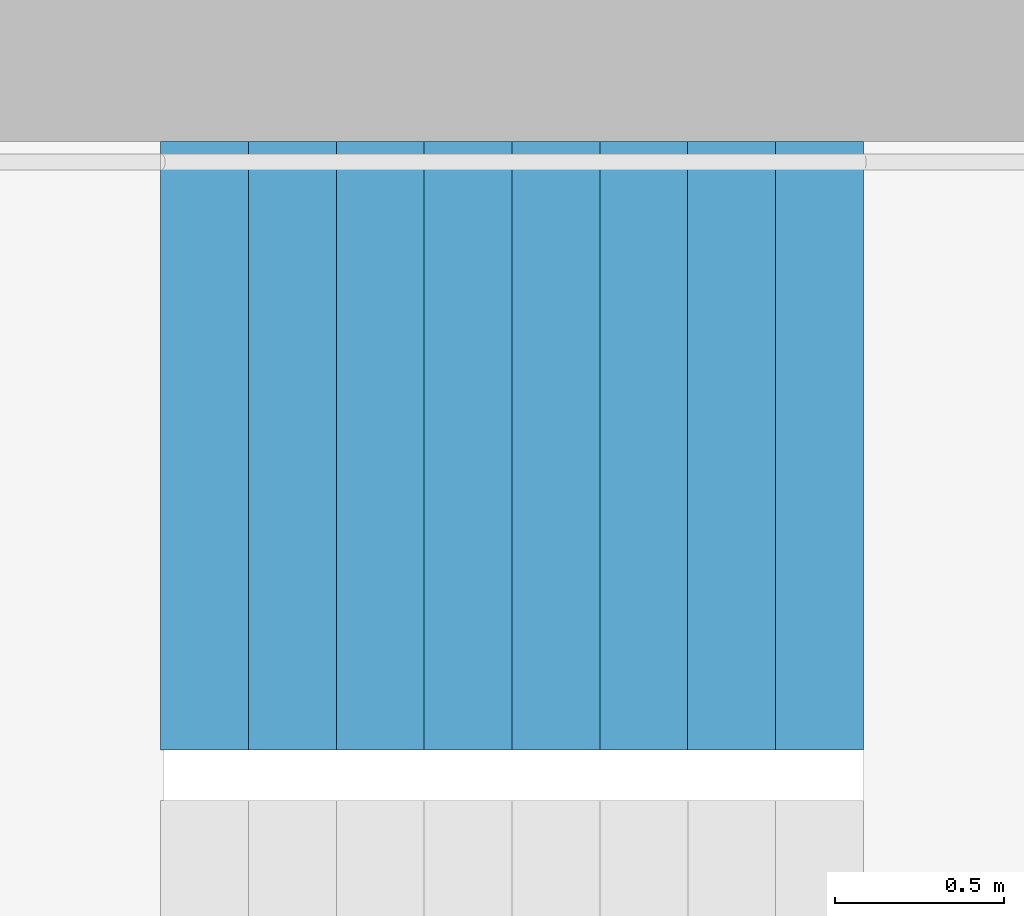
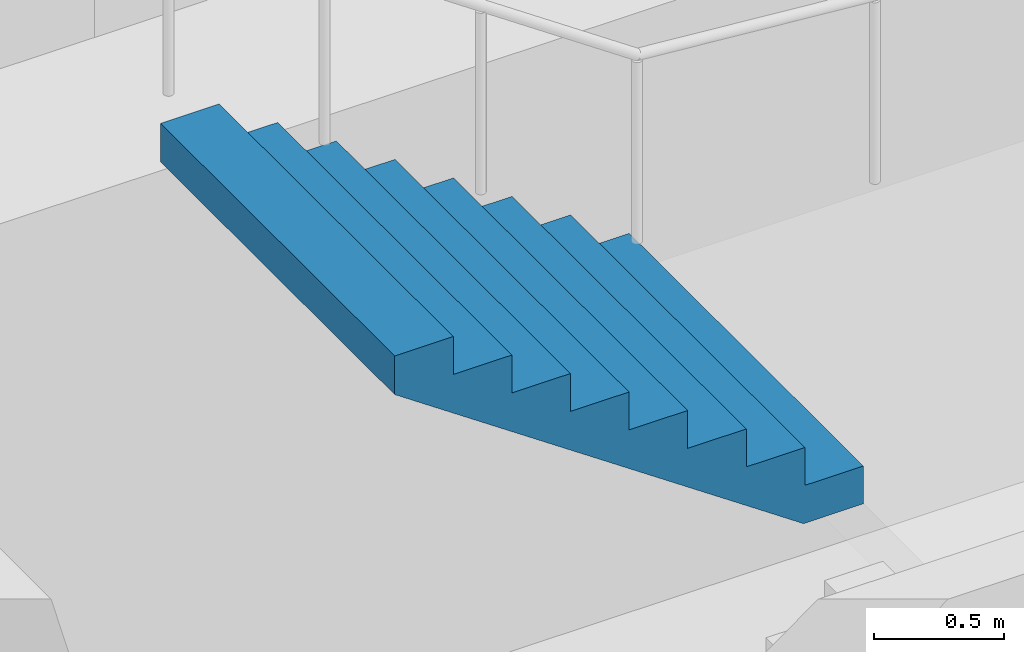
# One storey, part 23 of 28: 1 stair flight, 1 element without a shape of its own.
"""IFC4 building model written with IfcOpenShell, lengths in metres."""

from ifc_helpers import new_model, si_unit, direction, frame, origin, place, context, subcontext, project, spatial, triangles, material, type_object, element, aggregate, save


model = new_model("IFC4")

# Units and contexts
model_context = context("Model", 3, precision=1e-05, world=origin(), true_north=direction((0.0, 1.0)))
body_context = subcontext(model_context, "Body", "Model", "MODEL_VIEW")
ifc_project = project(units=[si_unit("LENGTHUNIT", "METRE"), si_unit("AREAUNIT", "SQUARE_METRE"), si_unit("VOLUMEUNIT", "CUBIC_METRE"), si_unit("PLANEANGLEUNIT", "RADIAN"), si_unit("MASSUNIT", "GRAM", prefix="KILO")], contexts=[model_context])

# Site, building, storey
site_placement = place(None, origin())
site = spatial("IfcSite", under=ifc_project, at=site_placement, CompositionType="ELEMENT")
building_placement = place(site_placement, origin())
building = spatial("IfcBuilding", under=site, at=building_placement, Name="Hakoniwa Tower and Hamabe Station Hall", CompositionType="ELEMENT")
storey_placement = place(building_placement, frame((0.0, 0.0, 32.60009765625)))
storey = spatial("IfcBuildingStorey", under=building, at=storey_placement, Name="L08", CompositionType="ELEMENT", Elevation=32.60009765625)

# Stair, stair flight
ifc_material_1 = material(Name="Concrete C40", Category="concrete")
stair_type = type_object("IfcStairType", Name="ESCAPE STAIR 1800", PredefinedType="HALF_TURN_STAIR", material=ifc_material_1)
stair_placement = place(storey_placement, origin())
stair = element("IfcStair", 1, at=stair_placement, inside=storey, type_object=stair_type, Name="Escape stair ST-1 L08", PredefinedType="HALF_TURN_STAIR")
ifc_material_2 = material(Name="Concrete C40", Category="concrete")
stair_flight_type = type_object("IfcStairFlightType", Name="STAIR FLIGHT 1800", PredefinedType="STRAIGHT", material=ifc_material_2)
stair_flight_placement = place(storey_placement, frame((-22.320068359375, 6.60009765625, 1.599853515625), z_axis=(0.0, 0.0, 1.0), x_axis=(-1.0, 0.0, 0.0)))
stair_flight = element("IfcStairFlight", 2, at=stair_flight_placement, type_object=stair_flight_type, Name="ST-1 flight 2", NumberOfRisers=9, NumberOfTreads=8, PredefinedType="STRAIGHT", RiserHeight=0.177777778, TreadLength=0.26, context=body_context, shape_type="Tessellation", body=[
    triangles([(0.0, 0.89990234375, 0.0), (0.260009765625, 0.89990234375, 0.0), (0.265625, 0.89990234375, 0.0), (0.52001953125, 0.89990234375, 0.174072265625), (0.780029296875, 0.89990234375, 0.351806640625), (1.0400390625, 0.89990234375, 0.529541015625), (1.300048828125, 0.89990234375, 0.707275390625), (1.56005859375, 0.89990234375, 0.885009765625), (1.820068359375, 0.89990234375, 1.062744140625), (2.080078125, 0.89990234375, 1.24072265625), (2.080078125, 0.89990234375, 1.422119140625), (1.820068359375, 0.89990234375, 1.422119140625), (1.820068359375, 0.89990234375, 1.244384765625), (1.56005859375, 0.89990234375, 1.244384765625), (1.56005859375, 0.89990234375, 1.066650390625), (1.300048828125, 0.89990234375, 1.066650390625), (1.300048828125, 0.89990234375, 0.888916015625), (1.0400390625, 0.89990234375, 0.888916015625), (1.0400390625, 0.89990234375, 0.711181640625), (0.780029296875, 0.89990234375, 0.711181640625), (0.780029296875, 0.89990234375, 0.533447265625), (0.52001953125, 0.89990234375, 0.533447265625), (0.52001953125, 0.89990234375, 0.35546875), (0.265625, 0.89990234375, 0.35546875), (0.260009765625, 0.89990234375, 0.35546875), (0.260009765625, 0.89990234375, 0.177734375), (0.0, 0.89990234375, 0.177734375), (0.0, 0.06005859375, 0.0), (0.260009765625, 0.06005859375, 0.0), (0.265625, 0.06005859375, 0.0), (0.52001953125, 0.06005859375, 0.174072265625), (0.780029296875, 0.06005859375, 0.351806640625), (1.0400390625, 0.06005859375, 0.529541015625), (1.300048828125, 0.06005859375, 0.707275390625), (1.56005859375, 0.06005859375, 0.885009765625), (1.820068359375, 0.06005859375, 1.062744140625), (2.080078125, 0.06005859375, 1.24072265625), (2.080078125, 0.06005859375, 1.422119140625), (1.820068359375, 0.06005859375, 1.422119140625), (1.820068359375, 0.06005859375, 1.244384765625), (1.56005859375, 0.06005859375, 1.244384765625), (1.56005859375, 0.06005859375, 1.066650390625), (1.300048828125, 0.06005859375, 1.066650390625), (1.300048828125, 0.06005859375, 0.888916015625), (1.0400390625, 0.06005859375, 0.888916015625), (1.0400390625, 0.06005859375, 0.711181640625), (0.780029296875, 0.06005859375, 0.711181640625), (0.780029296875, 0.06005859375, 0.533447265625), (0.52001953125, 0.06005859375, 0.533447265625), (0.52001953125, 0.06005859375, 0.35546875), (0.265625, 0.06005859375, 0.35546875), (0.260009765625, 0.06005859375, 0.35546875), (0.260009765625, 0.06005859375, 0.177734375), (0.0, 0.06005859375, 0.177734375), (0.0, 0.04296875, 0.0), (0.260009765625, 0.04296875, 0.0), (0.265625, 0.04296875, 0.0), (0.52001953125, 0.04296875, 0.174072265625), (0.780029296875, 0.04296875, 0.351806640625), (1.0400390625, 0.04296875, 0.529541015625), (1.300048828125, 0.04296875, 0.707275390625), (1.56005859375, 0.04296875, 0.885009765625), (1.820068359375, 0.04296875, 1.062744140625), (2.080078125, 0.04296875, 1.24072265625), (2.080078125, 0.04296875, 1.422119140625), (1.820068359375, 0.04296875, 1.422119140625), (1.820068359375, 0.04296875, 1.244384765625), (1.56005859375, 0.04296875, 1.244384765625), (1.56005859375, 0.04296875, 1.066650390625), (1.300048828125, 0.04296875, 1.066650390625), (1.300048828125, 0.04296875, 0.888916015625), (1.0400390625, 0.04296875, 0.888916015625), (1.0400390625, 0.04296875, 0.711181640625), (0.780029296875, 0.04296875, 0.711181640625), (0.780029296875, 0.04296875, 0.533447265625), (0.52001953125, 0.04296875, 0.533447265625), (0.52001953125, 0.04296875, 0.35546875), (0.265625, 0.04296875, 0.35546875), (0.260009765625, 0.04296875, 0.35546875), (0.260009765625, 0.04296875, 0.177734375), (0.0, 0.04296875, 0.177734375), (0.0, 0.025634765625, 0.0), (0.260009765625, 0.025634765625, 0.0), (0.265625, 0.025634765625, 0.0), (0.52001953125, 0.025634765625, 0.174072265625), (0.780029296875, 0.025634765625, 0.351806640625), (1.0400390625, 0.025634765625, 0.529541015625), (1.300048828125, 0.025634765625, 0.707275390625), (1.56005859375, 0.025634765625, 0.885009765625), (1.820068359375, 0.025634765625, 1.062744140625), (2.080078125, 0.025634765625, 1.24072265625), (2.080078125, 0.025634765625, 1.422119140625), (1.820068359375, 0.025634765625, 1.422119140625), (1.820068359375, 0.025634765625, 1.244384765625), (1.56005859375, 0.025634765625, 1.244384765625), (1.56005859375, 0.025634765625, 1.066650390625), (1.300048828125, 0.025634765625, 1.066650390625), (1.300048828125, 0.025634765625, 0.888916015625), (1.0400390625, 0.025634765625, 0.888916015625), (1.0400390625, 0.025634765625, 0.711181640625), (0.780029296875, 0.025634765625, 0.711181640625), (0.780029296875, 0.025634765625, 0.533447265625), (0.52001953125, 0.025634765625, 0.533447265625), (0.52001953125, 0.025634765625, 0.35546875), (0.265625, 0.025634765625, 0.35546875), (0.260009765625, 0.025634765625, 0.35546875), (0.260009765625, 0.025634765625, 0.177734375), (0.0, 0.025634765625, 0.177734375), (0.0, 0.008544921875, 0.0), (0.260009765625, 0.008544921875, 0.0), (0.265625, 0.008544921875, 0.0), (0.52001953125, 0.008544921875, 0.174072265625), (0.780029296875, 0.008544921875, 0.351806640625), (1.0400390625, 0.008544921875, 0.529541015625), (1.300048828125, 0.008544921875, 0.707275390625), (1.56005859375, 0.008544921875, 0.885009765625), (1.820068359375, 0.008544921875, 1.062744140625), (2.080078125, 0.008544921875, 1.24072265625), (2.080078125, 0.008544921875, 1.422119140625), (1.820068359375, 0.008544921875, 1.422119140625), (1.820068359375, 0.008544921875, 1.244384765625), (1.56005859375, 0.008544921875, 1.244384765625), (1.56005859375, 0.008544921875, 1.066650390625), (1.300048828125, 0.008544921875, 1.066650390625), (1.300048828125, 0.008544921875, 0.888916015625), (1.0400390625, 0.008544921875, 0.888916015625), (1.0400390625, 0.008544921875, 0.711181640625), (0.780029296875, 0.008544921875, 0.711181640625), (0.780029296875, 0.008544921875, 0.533447265625), (0.52001953125, 0.008544921875, 0.533447265625), (0.52001953125, 0.008544921875, 0.35546875), (0.265625, 0.008544921875, 0.35546875), (0.260009765625, 0.008544921875, 0.35546875), (0.260009765625, 0.008544921875, 0.177734375), (0.0, 0.008544921875, 0.177734375), (0.0, -0.008544921875, 0.0), (0.260009765625, -0.008544921875, 0.0), (0.265625, -0.008544921875, 0.0), (0.52001953125, -0.008544921875, 0.174072265625), (0.780029296875, -0.008544921875, 0.351806640625), (1.0400390625, -0.008544921875, 0.529541015625), (1.300048828125, -0.008544921875, 0.707275390625), (1.56005859375, -0.008544921875, 0.885009765625), (1.820068359375, -0.008544921875, 1.062744140625), (2.080078125, -0.008544921875, 1.24072265625), (2.080078125, -0.008544921875, 1.422119140625), (1.820068359375, -0.008544921875, 1.422119140625), (1.820068359375, -0.008544921875, 1.244384765625), (1.56005859375, -0.008544921875, 1.244384765625), (1.56005859375, -0.008544921875, 1.066650390625), (1.300048828125, -0.008544921875, 1.066650390625), (1.300048828125, -0.008544921875, 0.888916015625), (1.0400390625, -0.008544921875, 0.888916015625), (1.0400390625, -0.008544921875, 0.711181640625), (0.780029296875, -0.008544921875, 0.711181640625), (0.780029296875, -0.008544921875, 0.533447265625), (0.52001953125, -0.008544921875, 0.533447265625), (0.52001953125, -0.008544921875, 0.35546875), (0.265625, -0.008544921875, 0.35546875), (0.260009765625, -0.008544921875, 0.35546875), (0.260009765625, -0.008544921875, 0.177734375), (0.0, -0.008544921875, 0.177734375), (0.0, -0.025634765625, 0.0), (0.260009765625, -0.025634765625, 0.0), (0.265625, -0.025634765625, 0.0), (0.52001953125, -0.025634765625, 0.174072265625), (0.780029296875, -0.025634765625, 0.351806640625), (1.0400390625, -0.025634765625, 0.529541015625), (1.300048828125, -0.025634765625, 0.707275390625), (1.56005859375, -0.025634765625, 0.885009765625), (1.820068359375, -0.025634765625, 1.062744140625), (2.080078125, -0.025634765625, 1.24072265625), (2.080078125, -0.025634765625, 1.422119140625), (1.820068359375, -0.025634765625, 1.422119140625), (1.820068359375, -0.025634765625, 1.244384765625), (1.56005859375, -0.025634765625, 1.244384765625), (1.56005859375, -0.025634765625, 1.066650390625), (1.300048828125, -0.025634765625, 1.066650390625), (1.300048828125, -0.025634765625, 0.888916015625), (1.0400390625, -0.025634765625, 0.888916015625), (1.0400390625, -0.025634765625, 0.711181640625), (0.780029296875, -0.025634765625, 0.711181640625), (0.780029296875, -0.025634765625, 0.533447265625), (0.52001953125, -0.025634765625, 0.533447265625), (0.52001953125, -0.025634765625, 0.35546875), (0.265625, -0.025634765625, 0.35546875), (0.260009765625, -0.025634765625, 0.35546875), (0.260009765625, -0.025634765625, 0.177734375), (0.0, -0.025634765625, 0.177734375), (0.0, -0.04296875, 0.0), (0.260009765625, -0.04296875, 0.0), (0.265625, -0.04296875, 0.0), (0.52001953125, -0.04296875, 0.174072265625), (0.780029296875, -0.04296875, 0.351806640625), (1.0400390625, -0.04296875, 0.529541015625), (1.300048828125, -0.04296875, 0.707275390625), (1.56005859375, -0.04296875, 0.885009765625), (1.820068359375, -0.04296875, 1.062744140625), (2.080078125, -0.04296875, 1.24072265625), (2.080078125, -0.04296875, 1.422119140625), (1.820068359375, -0.04296875, 1.422119140625), (1.820068359375, -0.04296875, 1.244384765625), (1.56005859375, -0.04296875, 1.244384765625), (1.56005859375, -0.04296875, 1.066650390625), (1.300048828125, -0.04296875, 1.066650390625), (1.300048828125, -0.04296875, 0.888916015625), (1.0400390625, -0.04296875, 0.888916015625), (1.0400390625, -0.04296875, 0.711181640625), (0.780029296875, -0.04296875, 0.711181640625), (0.780029296875, -0.04296875, 0.533447265625), (0.52001953125, -0.04296875, 0.533447265625), (0.52001953125, -0.04296875, 0.35546875), (0.265625, -0.04296875, 0.35546875), (0.260009765625, -0.04296875, 0.35546875), (0.260009765625, -0.04296875, 0.177734375), (0.0, -0.04296875, 0.177734375), (0.0, -0.06005859375, 0.0), (0.260009765625, -0.06005859375, 0.0), (0.265625, -0.06005859375, 0.0), (0.52001953125, -0.06005859375, 0.174072265625), (0.780029296875, -0.06005859375, 0.351806640625), (1.0400390625, -0.06005859375, 0.529541015625), (1.300048828125, -0.06005859375, 0.707275390625), (1.56005859375, -0.06005859375, 0.885009765625), (1.820068359375, -0.06005859375, 1.062744140625), (2.080078125, -0.06005859375, 1.24072265625), (2.080078125, -0.06005859375, 1.422119140625), (1.820068359375, -0.06005859375, 1.422119140625), (1.820068359375, -0.06005859375, 1.244384765625), (1.56005859375, -0.06005859375, 1.244384765625), (1.56005859375, -0.06005859375, 1.066650390625), (1.300048828125, -0.06005859375, 1.066650390625), (1.300048828125, -0.06005859375, 0.888916015625), (1.0400390625, -0.06005859375, 0.888916015625), (1.0400390625, -0.06005859375, 0.711181640625), (0.780029296875, -0.06005859375, 0.711181640625), (0.780029296875, -0.06005859375, 0.533447265625), (0.52001953125, -0.06005859375, 0.533447265625), (0.52001953125, -0.06005859375, 0.35546875), (0.265625, -0.06005859375, 0.35546875), (0.260009765625, -0.06005859375, 0.35546875), (0.260009765625, -0.06005859375, 0.177734375), (0.0, -0.06005859375, 0.177734375), (0.0, -0.89990234375, 0.0), (0.260009765625, -0.89990234375, 0.0), (0.265625, -0.89990234375, 0.0), (0.52001953125, -0.89990234375, 0.174072265625), (0.780029296875, -0.89990234375, 0.351806640625), (1.0400390625, -0.89990234375, 0.529541015625), (1.300048828125, -0.89990234375, 0.707275390625), (1.56005859375, -0.89990234375, 0.885009765625), (1.820068359375, -0.89990234375, 1.062744140625), (2.080078125, -0.89990234375, 1.24072265625), (2.080078125, -0.89990234375, 1.422119140625), (1.820068359375, -0.89990234375, 1.422119140625), (1.820068359375, -0.89990234375, 1.244384765625), (1.56005859375, -0.89990234375, 1.244384765625), (1.56005859375, -0.89990234375, 1.066650390625), (1.300048828125, -0.89990234375, 1.066650390625), (1.300048828125, -0.89990234375, 0.888916015625), (1.0400390625, -0.89990234375, 0.888916015625), (1.0400390625, -0.89990234375, 0.711181640625), (0.780029296875, -0.89990234375, 0.711181640625), (0.780029296875, -0.89990234375, 0.533447265625), (0.52001953125, -0.89990234375, 0.533447265625), (0.52001953125, -0.89990234375, 0.35546875), (0.265625, -0.89990234375, 0.35546875), (0.260009765625, -0.89990234375, 0.35546875), (0.260009765625, -0.89990234375, 0.177734375), (0.0, -0.89990234375, 0.177734375)], [[2, 27, 26], [245, 269, 270], [2, 1, 27], [245, 270, 244], [3, 25, 24], [246, 267, 268], [3, 26, 25], [246, 268, 269], [3, 2, 26], [246, 269, 245], [4, 24, 23], [247, 266, 267], [4, 3, 24], [247, 267, 246], [5, 22, 21], [248, 264, 265], [5, 23, 22], [248, 265, 266], [5, 4, 23], [248, 266, 247], [6, 20, 19], [249, 262, 263], [6, 21, 20], [249, 263, 264], [6, 5, 21], [249, 264, 248], [7, 18, 17], [250, 260, 261], [7, 19, 18], [250, 261, 262], [7, 6, 19], [250, 262, 249], [8, 16, 15], [251, 258, 259], [8, 17, 16], [251, 259, 260], [8, 7, 17], [251, 260, 250], [9, 14, 13], [252, 256, 257], [9, 15, 14], [252, 257, 258], [9, 8, 15], [252, 258, 251], [10, 12, 11], [253, 254, 255], [10, 13, 12], [253, 255, 256], [10, 9, 13], [253, 256, 252], [1, 2, 29], [1, 29, 28], [28, 29, 56], [28, 56, 55], [55, 56, 83], [55, 83, 82], [82, 83, 110], [82, 110, 109], [109, 110, 137], [109, 137, 136], [136, 137, 164], [136, 164, 163], [163, 164, 191], [163, 191, 190], [190, 191, 218], [190, 218, 217], [217, 218, 245], [217, 245, 244], [2, 3, 30], [2, 30, 29], [29, 30, 57], [29, 57, 56], [56, 57, 84], [56, 84, 83], [83, 84, 111], [83, 111, 110], [110, 111, 138], [110, 138, 137], [137, 138, 165], [137, 165, 164], [164, 165, 192], [164, 192, 191], [191, 192, 219], [191, 219, 218], [218, 219, 246], [218, 246, 245], [3, 4, 31], [3, 31, 30], [30, 31, 58], [30, 58, 57], [57, 58, 85], [57, 85, 84], [84, 85, 112], [84, 112, 111], [111, 112, 139], [111, 139, 138], [138, 139, 166], [138, 166, 165], [165, 166, 193], [165, 193, 192], [192, 193, 220], [192, 220, 219], [219, 220, 247], [219, 247, 246], [4, 5, 32], [4, 32, 31], [31, 32, 59], [31, 59, 58], [58, 59, 86], [58, 86, 85], [85, 86, 113], [85, 113, 112], [112, 113, 140], [112, 140, 139], [139, 140, 167], [139, 167, 166], [166, 167, 194], [166, 194, 193], [193, 194, 221], [193, 221, 220], [220, 221, 248], [220, 248, 247], [5, 6, 33], [5, 33, 32], [32, 33, 60], [32, 60, 59], [59, 60, 87], [59, 87, 86], [86, 87, 114], [86, 114, 113], [113, 114, 141], [113, 141, 140], [140, 141, 168], [140, 168, 167], [167, 168, 195], [167, 195, 194], [194, 195, 222], [194, 222, 221], [221, 222, 249], [221, 249, 248], [6, 7, 34], [6, 34, 33], [33, 34, 61], [33, 61, 60], [60, 61, 88], [60, 88, 87], [87, 88, 115], [87, 115, 114], [114, 115, 142], [114, 142, 141], [141, 142, 169], [141, 169, 168], [168, 169, 196], [168, 196, 195], [195, 196, 223], [195, 223, 222], [222, 223, 250], [222, 250, 249], [7, 8, 35], [7, 35, 34], [34, 35, 62], [34, 62, 61], [61, 62, 89], [61, 89, 88], [88, 89, 116], [88, 116, 115], [115, 116, 143], [115, 143, 142], [142, 143, 170], [142, 170, 169], [169, 170, 197], [169, 197, 196], [196, 197, 224], [196, 224, 223], [223, 224, 251], [223, 251, 250], [8, 9, 36], [8, 36, 35], [35, 36, 63], [35, 63, 62], [62, 63, 90], [62, 90, 89], [89, 90, 117], [89, 117, 116], [116, 117, 144], [116, 144, 143], [143, 144, 171], [143, 171, 170], [170, 171, 198], [170, 198, 197], [197, 198, 225], [197, 225, 224], [224, 225, 252], [224, 252, 251], [9, 10, 37], [9, 37, 36], [36, 37, 64], [36, 64, 63], [63, 64, 91], [63, 91, 90], [90, 91, 118], [90, 118, 117], [117, 118, 145], [117, 145, 144], [144, 145, 172], [144, 172, 171], [171, 172, 199], [171, 199, 198], [198, 199, 226], [198, 226, 225], [225, 226, 253], [225, 253, 252], [10, 11, 38], [10, 38, 37], [37, 38, 65], [37, 65, 64], [64, 65, 92], [64, 92, 91], [91, 92, 119], [91, 119, 118], [118, 119, 146], [118, 146, 145], [145, 146, 173], [145, 173, 172], [172, 173, 200], [172, 200, 199], [199, 200, 227], [199, 227, 226], [226, 227, 254], [226, 254, 253], [11, 12, 39], [11, 39, 38], [38, 39, 66], [38, 66, 65], [65, 66, 93], [65, 93, 92], [92, 93, 120], [92, 120, 119], [119, 120, 147], [119, 147, 146], [146, 147, 174], [146, 174, 173], [173, 174, 201], [173, 201, 200], [200, 201, 228], [200, 228, 227], [227, 228, 255], [227, 255, 254], [12, 13, 40], [12, 40, 39], [39, 40, 67], [39, 67, 66], [66, 67, 94], [66, 94, 93], [93, 94, 121], [93, 121, 120], [120, 121, 148], [120, 148, 147], [147, 148, 175], [147, 175, 174], [174, 175, 202], [174, 202, 201], [201, 202, 229], [201, 229, 228], [228, 229, 256], [228, 256, 255], [13, 14, 41], [13, 41, 40], [40, 41, 68], [40, 68, 67], [67, 68, 95], [67, 95, 94], [94, 95, 122], [94, 122, 121], [121, 122, 149], [121, 149, 148], [148, 149, 176], [148, 176, 175], [175, 176, 203], [175, 203, 202], [202, 203, 230], [202, 230, 229], [229, 230, 257], [229, 257, 256], [14, 15, 42], [14, 42, 41], [41, 42, 69], [41, 69, 68], [68, 69, 96], [68, 96, 95], [95, 96, 123], [95, 123, 122], [122, 123, 150], [122, 150, 149], [149, 150, 177], [149, 177, 176], [176, 177, 204], [176, 204, 203], [203, 204, 231], [203, 231, 230], [230, 231, 258], [230, 258, 257], [15, 16, 43], [15, 43, 42], [42, 43, 70], [42, 70, 69], [69, 70, 97], [69, 97, 96], [96, 97, 124], [96, 124, 123], [123, 124, 151], [123, 151, 150], [150, 151, 178], [150, 178, 177], [177, 178, 205], [177, 205, 204], [204, 205, 232], [204, 232, 231], [231, 232, 259], [231, 259, 258], [16, 17, 44], [16, 44, 43], [43, 44, 71], [43, 71, 70], [70, 71, 98], [70, 98, 97], [97, 98, 125], [97, 125, 124], [124, 125, 152], [124, 152, 151], [151, 152, 179], [151, 179, 178], [178, 179, 206], [178, 206, 205], [205, 206, 233], [205, 233, 232], [232, 233, 260], [232, 260, 259], [17, 18, 45], [17, 45, 44], [44, 45, 72], [44, 72, 71], [71, 72, 99], [71, 99, 98], [98, 99, 126], [98, 126, 125], [125, 126, 153], [125, 153, 152], [152, 153, 180], [152, 180, 179], [179, 180, 207], [179, 207, 206], [206, 207, 234], [206, 234, 233], [233, 234, 261], [233, 261, 260], [18, 19, 46], [18, 46, 45], [45, 46, 73], [45, 73, 72], [72, 73, 100], [72, 100, 99], [99, 100, 127], [99, 127, 126], [126, 127, 154], [126, 154, 153], [153, 154, 181], [153, 181, 180], [180, 181, 208], [180, 208, 207], [207, 208, 235], [207, 235, 234], [234, 235, 262], [234, 262, 261], [19, 20, 47], [19, 47, 46], [46, 47, 74], [46, 74, 73], [73, 74, 101], [73, 101, 100], [100, 101, 128], [100, 128, 127], [127, 128, 155], [127, 155, 154], [154, 155, 182], [154, 182, 181], [181, 182, 209], [181, 209, 208], [208, 209, 236], [208, 236, 235], [235, 236, 263], [235, 263, 262], [20, 21, 48], [20, 48, 47], [47, 48, 75], [47, 75, 74], [74, 75, 102], [74, 102, 101], [101, 102, 129], [101, 129, 128], [128, 129, 156], [128, 156, 155], [155, 156, 183], [155, 183, 182], [182, 183, 210], [182, 210, 209], [209, 210, 237], [209, 237, 236], [236, 237, 264], [236, 264, 263], [21, 22, 49], [21, 49, 48], [48, 49, 76], [48, 76, 75], [75, 76, 103], [75, 103, 102], [102, 103, 130], [102, 130, 129], [129, 130, 157], [129, 157, 156], [156, 157, 184], [156, 184, 183], [183, 184, 211], [183, 211, 210], [210, 211, 238], [210, 238, 237], [237, 238, 265], [237, 265, 264], [22, 23, 50], [22, 50, 49], [49, 50, 77], [49, 77, 76], [76, 77, 104], [76, 104, 103], [103, 104, 131], [103, 131, 130], [130, 131, 158], [130, 158, 157], [157, 158, 185], [157, 185, 184], [184, 185, 212], [184, 212, 211], [211, 212, 239], [211, 239, 238], [238, 239, 266], [238, 266, 265], [23, 24, 51], [23, 51, 50], [50, 51, 78], [50, 78, 77], [77, 78, 105], [77, 105, 104], [104, 105, 132], [104, 132, 131], [131, 132, 159], [131, 159, 158], [158, 159, 186], [158, 186, 185], [185, 186, 213], [185, 213, 212], [212, 213, 240], [212, 240, 239], [239, 240, 267], [239, 267, 266], [24, 25, 52], [24, 52, 51], [51, 52, 79], [51, 79, 78], [78, 79, 106], [78, 106, 105], [105, 106, 133], [105, 133, 132], [132, 133, 160], [132, 160, 159], [159, 160, 187], [159, 187, 186], [186, 187, 214], [186, 214, 213], [213, 214, 241], [213, 241, 240], [240, 241, 268], [240, 268, 267], [25, 26, 53], [25, 53, 52], [52, 53, 80], [52, 80, 79], [79, 80, 107], [79, 107, 106], [106, 107, 134], [106, 134, 133], [133, 134, 161], [133, 161, 160], [160, 161, 188], [160, 188, 187], [187, 188, 215], [187, 215, 214], [214, 215, 242], [214, 242, 241], [241, 242, 269], [241, 269, 268], [26, 27, 54], [26, 54, 53], [53, 54, 81], [53, 81, 80], [80, 81, 108], [80, 108, 107], [107, 108, 135], [107, 135, 134], [134, 135, 162], [134, 162, 161], [161, 162, 189], [161, 189, 188], [188, 189, 216], [188, 216, 215], [215, 216, 243], [215, 243, 242], [242, 243, 270], [242, 270, 269], [27, 1, 28], [27, 28, 54], [54, 28, 55], [54, 55, 81], [81, 55, 82], [81, 82, 108], [108, 82, 109], [108, 109, 135], [135, 109, 136], [135, 136, 162], [162, 136, 163], [162, 163, 189], [189, 163, 190], [189, 190, 216], [216, 190, 217], [216, 217, 243], [243, 217, 244], [243, 244, 270]], closed=True),
])
aggregate(stair, [stair_flight])

save(model, "model.ifc")
